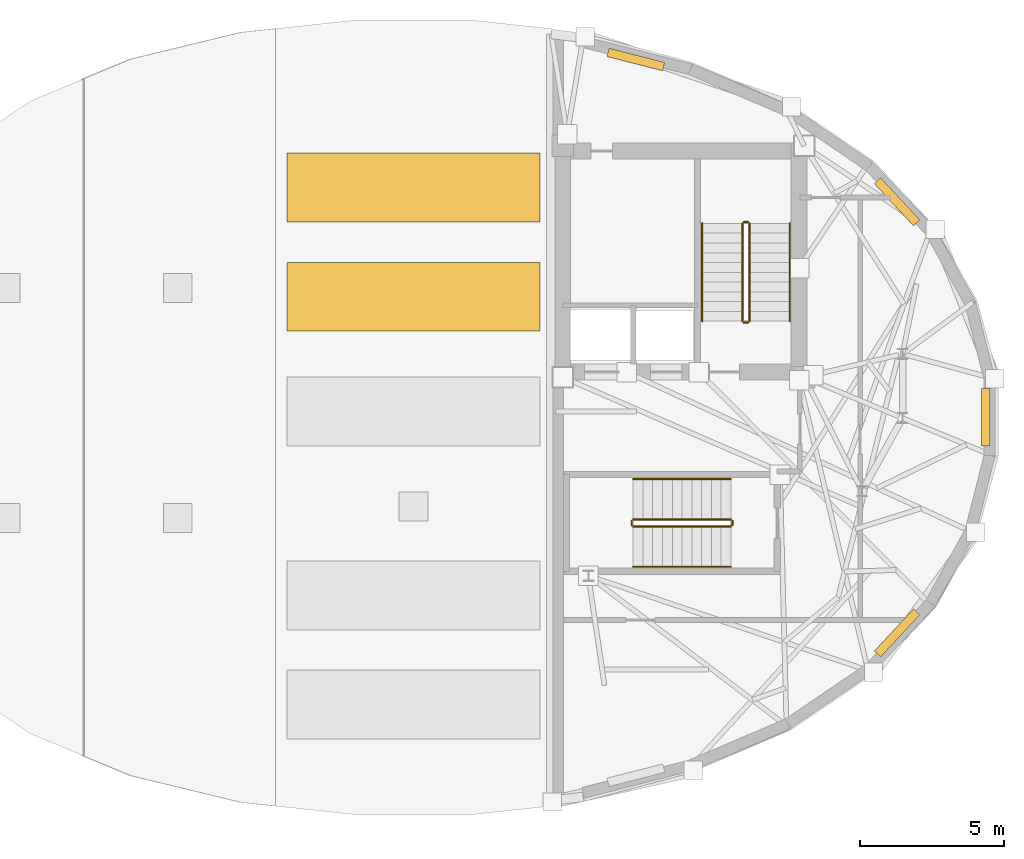
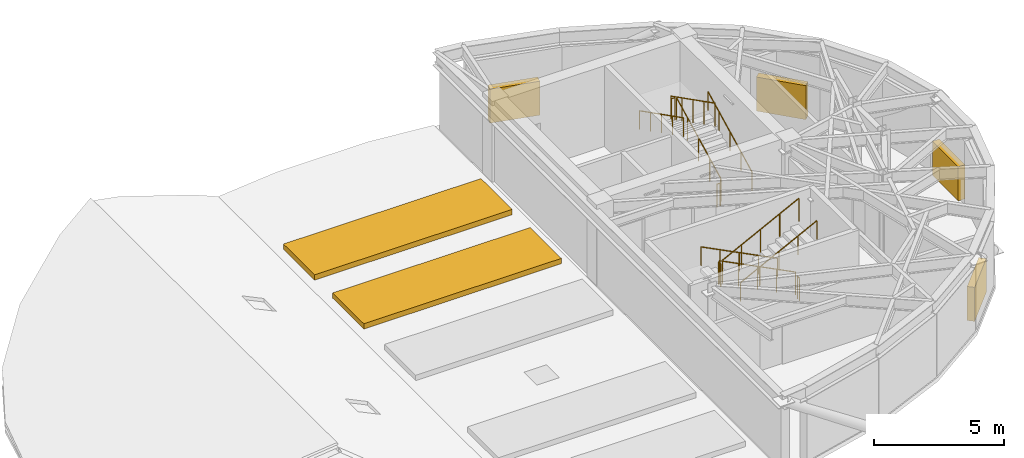
# One storey, part 5 of 5: 12 railings, 6 shading devices.
"""IFC4 building model written with IfcOpenShell, lengths in metres."""

from ifc_helpers import new_model, si_unit, direction, frame, origin, origin_2d, place, context, subcontext, project, spatial, rectangle, circle, extrude, material, type_object, element, save


model = new_model("IFC4")

# Units and contexts
model_context = context("Model", 3, precision=1e-05, world=origin(), true_north=direction((0.0, 1.0)))
body_context = subcontext(model_context, "Body", "Model", "MODEL_VIEW")
ifc_project = project(units=[si_unit("LENGTHUNIT", "METRE"), si_unit("AREAUNIT", "SQUARE_METRE"), si_unit("VOLUMEUNIT", "CUBIC_METRE"), si_unit("PLANEANGLEUNIT", "RADIAN"), si_unit("MASSUNIT", "GRAM", prefix="KILO")], contexts=[model_context])

# Site, building, storey
site_placement = place(None, origin())
site = spatial("IfcSite", under=ifc_project, at=site_placement, CompositionType="ELEMENT")
building_placement = place(site_placement, origin())
building = spatial("IfcBuilding", under=site, at=building_placement, Name="Keldmark Tower", CompositionType="ELEMENT")
storey_placement = place(building_placement, frame((0.0, 0.0, 284.39990234375)))
storey = spatial("IfcBuildingStorey", under=building, at=storey_placement, Name="L80", CompositionType="ELEMENT", Elevation=284.39990234375)

# Shading devices
ifc_material_1 = material(Name="Fluoropolymer-Coated Extruded Aluminum Stormproof Blades", Category="aluminium")
shading_device_type = type_object("IfcShadingDeviceType", Name="Mechanical Floor Acoustic Intake Louvre", PredefinedType="JALOUSIE", material=ifc_material_1)
for number, where, z_axis, x_axis, name in (
    (1, (7.74365234375, 12.456298828125, 0.0), (0.0, 0.0, 1.0), (-0.968998485261, 0.247066662181, 0.0), "L80 Crown Screen Acoustic Louvre E01"),
    (2, (16.835693359375, 7.502685546875, 0.0), (0.0, 0.0, 1.0), (-0.681372648762, 0.731936686824, 0.0), "L80 Crown Screen Acoustic Louvre E04"),
    (3, (19.916015625, 0.0, 0.0), (0.0, 0.0, 1.0), (0.0, 1.0, 0.0), "L80 Crown Screen Acoustic Louvre E07"),
    (4, (16.835693359375, -7.502685546875, 0.0), (0.0, 0.0, 1.0), (0.681372648762, 0.731936686824, 0.0), "L80 Crown Screen Acoustic Louvre E10"),
):
    element("IfcShadingDevice", number, at=place(storey_placement, frame(where, z_axis=z_axis, x_axis=x_axis)), inside=storey, type_object=shading_device_type, Name=name, PredefinedType="JALOUSIE", context=body_context, shape_type="SweptSolid", body=[
        extrude(rectangle(XDim=2.0, YDim=0.300048828125, at=origin_2d()), origin(), (0.0, 0.0, 1.0), 1.60009765625),
    ])
for number, where, z_axis, x_axis, name in (
    (5, (0.0, 4.199951171875, 0.0), (0.0, 0.0, 1.0), (1.0, 0.0, 0.0), "L80 Crown Sky-Slot Weather Louvre Grille 04"),
    (6, (0.0, 8.0, 0.0), (0.0, 0.0, 1.0), (1.0, 0.0, 0.0), "L80 Crown Sky-Slot Weather Louvre Grille 05"),
):
    element("IfcShadingDevice", number, at=place(storey_placement, frame(where, z_axis=z_axis, x_axis=x_axis)), inside=storey, type_object=shading_device_type, Name=name, PredefinedType="JALOUSIE", context=body_context, shape_type="SweptSolid", body=[
        extrude(rectangle(XDim=8.800048828125, YDim=2.39990234375, at=origin_2d()), origin(), (0.0, 0.0, 1.0), 0.25),
    ])

# Railings
ifc_material_2 = material(Name="Painted Steel ASTM A500 Grade B", Category="steel")
railing_type_1 = type_object("IfcRailingType", Name="Painted Steel Stair Well Guard 1100 mm", PredefinedType="GUARDRAIL", material=ifc_material_2)
railing_1_placement = place(storey_placement, frame((11.699951171875, 3.35009765625, 0.1728515625)))
element("IfcRailing", 7, at=railing_1_placement, inside=storey, type_object=railing_type_1, Name="L80 ST2 stair guard 1", PredefinedType="GUARDRAIL", context=body_context, shape_type="SweptSolid", body=[
    extrude(circle(Radius=0.02392578125, at=origin_2d()), frame((0.0, 0.0, 1.076171875), z_axis=(0.0, 0.89154070688, 0.452940578858), x_axis=(-1.0, 0.0, 0.0)), (0.0, 0.0, 1.0), 3.8134765625),
    extrude(circle(Radius=0.02099609375, at=origin_2d()), origin(), (0.0, 0.0, 1.0), 1.052001953125),
    extrude(circle(Radius=0.02099609375, at=origin_2d()), frame((0.0, 0.85009765625, 0.431884765625)), (0.0, 0.0, 1.0), 1.052001953125),
    extrude(circle(Radius=0.02099609375, at=origin_2d()), frame((0.0, 1.699951171875, 0.86376953125)), (0.0, 0.0, 1.0), 1.052001953125),
    extrude(circle(Radius=0.02099609375, at=origin_2d()), frame((0.0, 2.5498046875, 1.29541015625)), (0.0, 0.0, 1.0), 1.052001953125),
    extrude(circle(Radius=0.02099609375, at=origin_2d()), frame((0.0, 3.39990234375, 1.727294921875)), (0.0, 0.0, 1.0), 1.052001953125),
])
railing_2_placement = place(storey_placement, frame((11.64990234375, 6.800048828125, 1.900146484375)))
element("IfcRailing", 8, at=railing_2_placement, inside=storey, type_object=railing_type_1, Name="L80 ST2 stair guard 2", PredefinedType="GUARDRAIL", context=body_context, shape_type="SweptSolid", body=[
    extrude(circle(Radius=0.02392578125, at=origin_2d()), frame((0.0, 0.0, 1.076171875), z_axis=(-1.0, 0.0, 0.0), x_axis=(0.0, -1.0, 0.0)), (0.0, 0.0, 1.0), 0.14990234375),
    extrude(circle(Radius=0.02099609375, at=origin_2d()), origin(), (0.0, 0.0, 1.0), 1.052001953125),
    extrude(circle(Radius=0.02099609375, at=origin_2d()), frame((-0.14990234375, 0.0, 0.0)), (0.0, 0.0, 1.0), 1.052001953125),
])
railing_3_placement = place(storey_placement, frame((11.449951171875, 6.75, 2.07275390625)))
element("IfcRailing", 9, at=railing_3_placement, inside=storey, type_object=railing_type_1, Name="L80 ST2 stair guard 3", PredefinedType="GUARDRAIL", context=body_context, shape_type="SweptSolid", body=[
    extrude(circle(Radius=0.02392578125, at=origin_2d()), frame((0.0, 0.0, 1.076171875), z_axis=(0.0, -0.89154070688, 0.452940578858), x_axis=(1.0, 0.0, 0.0)), (0.0, 0.0, 1.0), 3.8134765625),
    extrude(circle(Radius=0.02099609375, at=origin_2d()), origin(), (0.0, 0.0, 1.0), 1.052001953125),
    extrude(circle(Radius=0.02099609375, at=origin_2d()), frame((0.0, -0.85009765625, 0.431884765625)), (0.0, 0.0, 1.0), 1.052001953125),
    extrude(circle(Radius=0.02099609375, at=origin_2d()), frame((0.0, -1.699951171875, 0.86376953125)), (0.0, 0.0, 1.0), 1.052001953125),
    extrude(circle(Radius=0.02099609375, at=origin_2d()), frame((0.0, -2.5498046875, 1.29541015625)), (0.0, 0.0, 1.0), 1.052001953125),
    extrude(circle(Radius=0.02099609375, at=origin_2d()), frame((0.0, -3.39990234375, 1.727294921875)), (0.0, 0.0, 1.0), 1.052001953125),
])
railing_4_placement = place(storey_placement, frame((11.64990234375, 3.300048828125, 0.0)))
element("IfcRailing", 10, at=railing_4_placement, inside=storey, type_object=railing_type_1, Name="L80 ST2 stair guard 4", PredefinedType="GUARDRAIL", context=body_context, shape_type="SweptSolid", body=[
    extrude(circle(Radius=0.02392578125, at=origin_2d()), frame((0.0, 0.0, 1.076171875), z_axis=(-1.0, 0.0, 0.0), x_axis=(0.0, -1.0, 0.0)), (0.0, 0.0, 1.0), 0.14990234375),
    extrude(circle(Radius=0.02099609375, at=origin_2d()), origin(), (0.0, 0.0, 1.0), 1.052001953125),
    extrude(circle(Radius=0.02099609375, at=origin_2d()), frame((-0.14990234375, 0.0, 0.0)), (0.0, 0.0, 1.0), 1.052001953125),
])
railing_5_placement = place(storey_placement, frame((11.050048828125, -3.550048828125, 0.1728515625)))
element("IfcRailing", 11, at=railing_5_placement, inside=storey, type_object=railing_type_1, Name="L80 ST4 stair guard 1", PredefinedType="GUARDRAIL", context=body_context, shape_type="SweptSolid", body=[
    extrude(circle(Radius=0.02392578125, at=origin_2d()), frame((0.0, 0.0, 1.076171875), z_axis=(-0.891553839763, 0.0, 0.452914727962), x_axis=(0.0, -1.0, 0.0)), (0.0, 0.0, 1.0), 3.813720703125),
    extrude(circle(Radius=0.02099609375, at=origin_2d()), origin(), (0.0, 0.0, 1.0), 1.052001953125),
    extrude(circle(Radius=0.02099609375, at=origin_2d()), frame((-0.85009765625, 0.0, 0.431884765625)), (0.0, 0.0, 1.0), 1.052001953125),
    extrude(circle(Radius=0.02099609375, at=origin_2d()), frame((-1.7001953125, 0.0, 0.86376953125)), (0.0, 0.0, 1.0), 1.052001953125),
    extrude(circle(Radius=0.02099609375, at=origin_2d()), frame((-2.550048828125, 0.0, 1.29541015625)), (0.0, 0.0, 1.0), 1.052001953125),
    extrude(circle(Radius=0.02099609375, at=origin_2d()), frame((-3.400146484375, 0.0, 1.727294921875)), (0.0, 0.0, 1.0), 1.052001953125),
])
railing_6_placement = place(storey_placement, frame((7.60009765625, -3.60009765625, 1.900146484375)))
element("IfcRailing", 12, at=railing_6_placement, inside=storey, type_object=railing_type_1, Name="L80 ST4 stair guard 2", PredefinedType="GUARDRAIL", context=body_context, shape_type="SweptSolid", body=[
    extrude(circle(Radius=0.02392578125, at=origin_2d()), frame((0.0, 0.0, 1.076171875), z_axis=(0.0, -1.0, 0.0), x_axis=(1.0, 0.0, 0.0)), (0.0, 0.0, 1.0), 0.14990234375),
    extrude(circle(Radius=0.02099609375, at=origin_2d()), origin(), (0.0, 0.0, 1.0), 1.052001953125),
    extrude(circle(Radius=0.02099609375, at=origin_2d()), frame((0.0, -0.14990234375, 0.0)), (0.0, 0.0, 1.0), 1.052001953125),
])
railing_7_placement = place(storey_placement, frame((7.64990234375, -3.800048828125, 2.07275390625)))
element("IfcRailing", 13, at=railing_7_placement, inside=storey, type_object=railing_type_1, Name="L80 ST4 stair guard 3", PredefinedType="GUARDRAIL", context=body_context, shape_type="SweptSolid", body=[
    extrude(circle(Radius=0.02392578125, at=origin_2d()), frame((0.0, 0.0, 1.076171875), z_axis=(0.891553839763, 0.0, 0.452914727962), x_axis=(0.0, 1.0, 0.0)), (0.0, 0.0, 1.0), 3.813720703125),
    extrude(circle(Radius=0.02099609375, at=origin_2d()), origin(), (0.0, 0.0, 1.0), 1.052001953125),
    extrude(circle(Radius=0.02099609375, at=origin_2d()), frame((0.85009765625, 0.0, 0.431884765625)), (0.0, 0.0, 1.0), 1.052001953125),
    extrude(circle(Radius=0.02099609375, at=origin_2d()), frame((1.7001953125, 0.0, 0.86376953125)), (0.0, 0.0, 1.0), 1.052001953125),
    extrude(circle(Radius=0.02099609375, at=origin_2d()), frame((2.550048828125, 0.0, 1.29541015625)), (0.0, 0.0, 1.0), 1.052001953125),
    extrude(circle(Radius=0.02099609375, at=origin_2d()), frame((3.400146484375, 0.0, 1.727294921875)), (0.0, 0.0, 1.0), 1.052001953125),
])
railing_8_placement = place(storey_placement, frame((11.10009765625, -3.60009765625, 0.0)))
element("IfcRailing", 14, at=railing_8_placement, inside=storey, type_object=railing_type_1, Name="L80 ST4 stair guard 4", PredefinedType="GUARDRAIL", context=body_context, shape_type="SweptSolid", body=[
    extrude(circle(Radius=0.02392578125, at=origin_2d()), frame((0.0, 0.0, 1.076171875), z_axis=(0.0, -1.0, 0.0), x_axis=(1.0, 0.0, 0.0)), (0.0, 0.0, 1.0), 0.14990234375),
    extrude(circle(Radius=0.02099609375, at=origin_2d()), origin(), (0.0, 0.0, 1.0), 1.052001953125),
    extrude(circle(Radius=0.02099609375, at=origin_2d()), frame((0.0, -0.14990234375, 0.0)), (0.0, 0.0, 1.0), 1.052001953125),
])
ifc_material_3 = material(Name="Stainless Steel AISI 316L", Category="steel")
railing_type_2 = type_object("IfcRailingType", Name="Stainless Steel Stair Handrail 900 mm", PredefinedType="HANDRAIL", material=ifc_material_3)
railing_9_placement = place(storey_placement, frame((13.10009765625, 3.35009765625, 0.1728515625)))
element("IfcRailing", 15, at=railing_9_placement, inside=storey, type_object=railing_type_2, Name="L80 ST2 stair handrail 1", PredefinedType="HANDRAIL", context=body_context, shape_type="SweptSolid", body=[
    extrude(circle(Radius=0.02392578125, at=origin_2d()), frame((0.0, 0.0, 0.8759765625), z_axis=(0.0, 0.89154070688, 0.452940578858), x_axis=(-1.0, 0.0, 0.0)), (0.0, 0.0, 1.0), 3.8134765625),
    extrude(circle(Radius=0.02099609375, at=origin_2d()), origin(), (0.0, 0.0, 1.0), 0.851806640625),
    extrude(circle(Radius=0.02099609375, at=origin_2d()), frame((0.0, 0.85009765625, 0.431884765625)), (0.0, 0.0, 1.0), 0.851806640625),
    extrude(circle(Radius=0.02099609375, at=origin_2d()), frame((0.0, 1.699951171875, 0.86376953125)), (0.0, 0.0, 1.0), 0.851806640625),
    extrude(circle(Radius=0.02099609375, at=origin_2d()), frame((0.0, 2.5498046875, 1.29541015625)), (0.0, 0.0, 1.0), 0.851806640625),
    extrude(circle(Radius=0.02099609375, at=origin_2d()), frame((0.0, 3.39990234375, 1.727294921875)), (0.0, 0.0, 1.0), 0.851806640625),
])
railing_10_placement = place(storey_placement, frame((10.050048828125, 6.75, 2.07275390625)))
element("IfcRailing", 16, at=railing_10_placement, inside=storey, type_object=railing_type_2, Name="L80 ST2 stair handrail 2", PredefinedType="HANDRAIL", context=body_context, shape_type="SweptSolid", body=[
    extrude(circle(Radius=0.02392578125, at=origin_2d()), frame((0.0, 0.0, 0.8759765625), z_axis=(0.0, -0.89154070688, 0.452940578858), x_axis=(1.0, 0.0, 0.0)), (0.0, 0.0, 1.0), 3.8134765625),
    extrude(circle(Radius=0.02099609375, at=origin_2d()), origin(), (0.0, 0.0, 1.0), 0.851806640625),
    extrude(circle(Radius=0.02099609375, at=origin_2d()), frame((0.0, -0.85009765625, 0.431884765625)), (0.0, 0.0, 1.0), 0.851806640625),
    extrude(circle(Radius=0.02099609375, at=origin_2d()), frame((0.0, -1.699951171875, 0.86376953125)), (0.0, 0.0, 1.0), 0.851806640625),
    extrude(circle(Radius=0.02099609375, at=origin_2d()), frame((0.0, -2.5498046875, 1.29541015625)), (0.0, 0.0, 1.0), 0.851806640625),
    extrude(circle(Radius=0.02099609375, at=origin_2d()), frame((0.0, -3.39990234375, 1.727294921875)), (0.0, 0.0, 1.0), 0.851806640625),
])
railing_11_placement = place(storey_placement, frame((11.050048828125, -2.14990234375, 0.1728515625)))
element("IfcRailing", 17, at=railing_11_placement, inside=storey, type_object=railing_type_2, Name="L80 ST4 stair handrail 1", PredefinedType="HANDRAIL", context=body_context, shape_type="SweptSolid", body=[
    extrude(circle(Radius=0.02392578125, at=origin_2d()), frame((0.0, 0.0, 0.8759765625), z_axis=(-0.891553839763, 0.0, 0.452914727962), x_axis=(0.0, -1.0, 0.0)), (0.0, 0.0, 1.0), 3.813720703125),
    extrude(circle(Radius=0.02099609375, at=origin_2d()), origin(), (0.0, 0.0, 1.0), 0.851806640625),
    extrude(circle(Radius=0.02099609375, at=origin_2d()), frame((-0.85009765625, 0.0, 0.431884765625)), (0.0, 0.0, 1.0), 0.851806640625),
    extrude(circle(Radius=0.02099609375, at=origin_2d()), frame((-1.7001953125, 0.0, 0.86376953125)), (0.0, 0.0, 1.0), 0.851806640625),
    extrude(circle(Radius=0.02099609375, at=origin_2d()), frame((-2.550048828125, 0.0, 1.29541015625)), (0.0, 0.0, 1.0), 0.851806640625),
    extrude(circle(Radius=0.02099609375, at=origin_2d()), frame((-3.400146484375, 0.0, 1.727294921875)), (0.0, 0.0, 1.0), 0.851806640625),
])
railing_12_placement = place(storey_placement, frame((7.64990234375, -5.199951171875, 2.07275390625)))
element("IfcRailing", 18, at=railing_12_placement, inside=storey, type_object=railing_type_2, Name="L80 ST4 stair handrail 2", PredefinedType="HANDRAIL", context=body_context, shape_type="SweptSolid", body=[
    extrude(circle(Radius=0.02392578125, at=origin_2d()), frame((0.0, 0.0, 0.8759765625), z_axis=(0.891553839763, 0.0, 0.452914727962), x_axis=(0.0, 1.0, 0.0)), (0.0, 0.0, 1.0), 3.813720703125),
    extrude(circle(Radius=0.02099609375, at=origin_2d()), origin(), (0.0, 0.0, 1.0), 0.851806640625),
    extrude(circle(Radius=0.02099609375, at=origin_2d()), frame((0.85009765625, 0.0, 0.431884765625)), (0.0, 0.0, 1.0), 0.851806640625),
    extrude(circle(Radius=0.02099609375, at=origin_2d()), frame((1.7001953125, 0.0, 0.86376953125)), (0.0, 0.0, 1.0), 0.851806640625),
    extrude(circle(Radius=0.02099609375, at=origin_2d()), frame((2.550048828125, 0.0, 1.29541015625)), (0.0, 0.0, 1.0), 0.851806640625),
    extrude(circle(Radius=0.02099609375, at=origin_2d()), frame((3.400146484375, 0.0, 1.727294921875)), (0.0, 0.0, 1.0), 0.851806640625),
])

save(model, "model.ifc")
